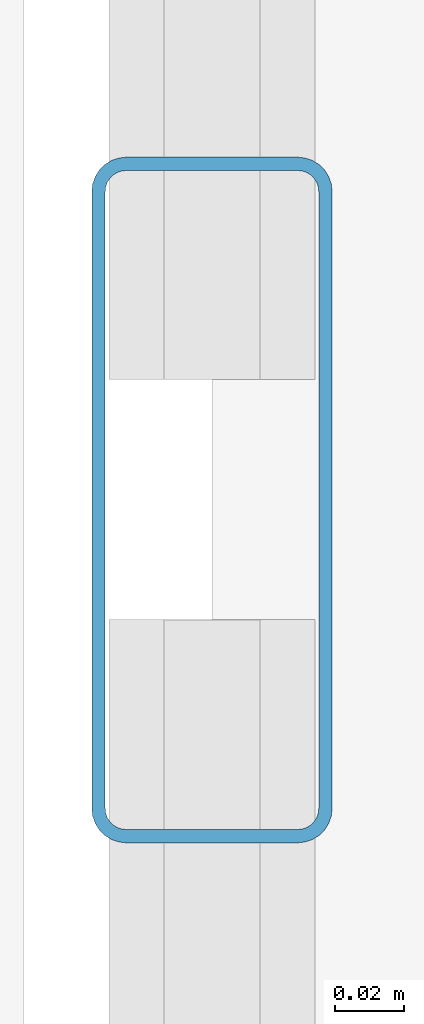
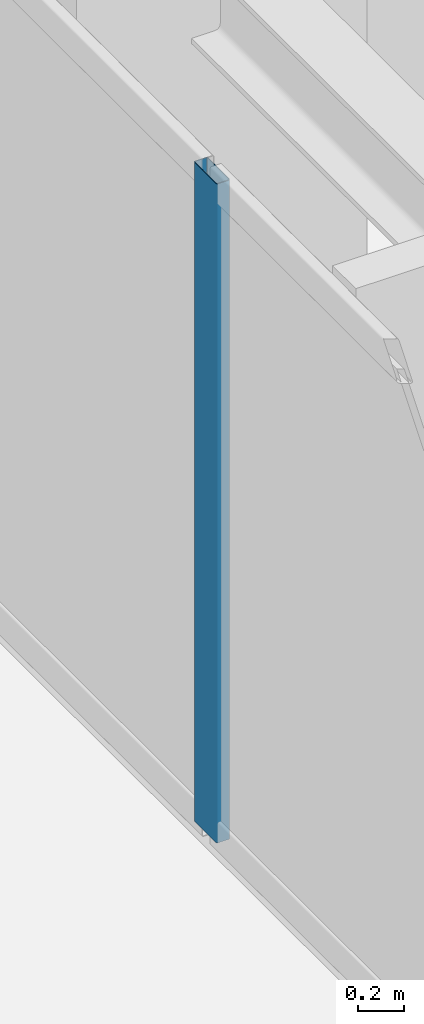
# One storey, part 8 of 39: 1 member, 1 element without a shape of its own.
"""IFC4 building model written with IfcOpenShell, lengths in metres."""

import ifcopenshell
import ifcopenshell.guid

model = None  # the IFC model being written
_history = None  # IfcOwnerHistory: only IFC2X3 demands one
_inside = {}  # id of a spatial element -> (the spatial element, [elements in it])
_under = {}  # id of a project, library or spatial element -> (it, [spatial elements below it])
_declared = {}  # id of a project -> (the project, [libraries it declares])
_typed = {}  # id of a type object -> (the type object, [elements of that type])
_made_of = {}  # id of a material, layer set ... -> (it, [elements and type objects made of it])


def new_model(schema):
    """Start an empty IFC model of exactly this schema.

    Asked for "IFC4X3", IfcOpenShell would pick the latest addendum, in which some entities
    have other attributes; the version numbers below select the first issue.
    IFC2X3 requires an IfcOwnerHistory on every rooted entity: one is made here for all.
    """
    global model, _history
    if schema == "IFC4X3":
        model = ifcopenshell.file(schema_version=(4, 3, 0, 0))
    else:
        model = ifcopenshell.file(schema=schema)
    _inside.clear()
    _under.clear()
    _declared.clear()
    _typed.clear()
    _made_of.clear()
    _history = None
    if model.schema == "IFC2X3":
        org = make("IfcOrganization", Name="unknown")
        user = make(
            "IfcPersonAndOrganization",
            ThePerson=make("IfcPerson", FamilyName="unknown"),
            TheOrganization=org,
        )
        app = make(
            "IfcApplication",
            ApplicationDeveloper=org,
            Version="unknown",
            ApplicationFullName="unknown",
            ApplicationIdentifier="unknown",
        )
        _history = make(
            "IfcOwnerHistory",
            OwningUser=user,
            OwningApplication=app,
            ChangeAction="ADDED",
            CreationDate=0,
        )
    return model


def make(cls, **values):
    """One entity of the class cls with the attributes given. An attribute that is None is left unset."""
    return model.create_entity(
        cls, **{name: value for name, value in values.items() if value is not None}
    )


def rooted(cls, **values):
    """An entity with a GlobalId (a new one), such as an element, a storey or a relation."""
    return make(cls, GlobalId=ifcopenshell.guid.new(), OwnerHistory=_history, **values)


def si_unit(unit_type, name, prefix=None):
    """IfcSIUnit, for example si_unit("LENGTHUNIT", "METRE", prefix="MILLI")."""
    return make("IfcSIUnit", UnitType=unit_type, Prefix=prefix, Name=name)


def assignment(units):
    """IfcUnitAssignment: the units of a project."""
    return None if units is None else make("IfcUnitAssignment", Units=units)


def point(xyz):
    """IfcCartesianPoint."""
    return None if xyz is None else make("IfcCartesianPoint", Coordinates=xyz)


def direction(xyz):
    """IfcDirection."""
    return None if xyz is None else make("IfcDirection", DirectionRatios=xyz)


def frame(location, z_axis=None, x_axis=None):
    """IfcAxis2Placement3D, a coordinate frame: its origin and axes. An axis left out is left unset."""
    return make(
        "IfcAxis2Placement3D",
        Location=point(location),
        Axis=direction(z_axis),
        RefDirection=direction(x_axis),
    )


def frame_2d(location, x_axis=None):
    """IfcAxis2Placement2D, a coordinate frame in the plane: its origin and x axis."""
    return make(
        "IfcAxis2Placement2D", Location=point(location), RefDirection=direction(x_axis)
    )


def origin():
    """The frame at (0, 0, 0) with its axes left unset."""
    return frame((0.0, 0.0, 0.0))


def origin_2d():
    """The frame at (0, 0) in the plane with its x axis left unset."""
    return frame_2d((0.0, 0.0))


def place(relative_to, where):
    """IfcLocalPlacement: puts the frame where relative to a parent placement (None: the world)."""
    return make(
        "IfcLocalPlacement", PlacementRelTo=relative_to, RelativePlacement=where
    )


def context(
    kind, dimensions, precision=None, world=None, true_north=None, identifier=None
):
    """IfcGeometricRepresentationContext, for example the 3D "Model" context."""
    return make(
        "IfcGeometricRepresentationContext",
        ContextIdentifier=identifier,
        ContextType=kind,
        CoordinateSpaceDimension=dimensions,
        Precision=precision,
        WorldCoordinateSystem=world,
        TrueNorth=true_north,
    )


def subcontext(parent, identifier, kind, view, scale=None):
    """IfcGeometricRepresentationSubContext, for example "Body" below "Model"."""
    return make(
        "IfcGeometricRepresentationSubContext",
        ContextIdentifier=identifier,
        ContextType=kind,
        ParentContext=parent,
        TargetScale=scale,
        TargetView=view,
    )


def project(units=None, contexts=None):
    """IfcProject with its units and contexts."""
    return rooted(
        "IfcProject",
        Name="project",
        RepresentationContexts=contexts,
        UnitsInContext=assignment(units),
    )


def spatial(cls, under=None, at=None, **own):
    """A site, building, storey or space (cls), placed at a placement, below another one or the project."""
    s = rooted(cls, ObjectPlacement=at, **own)
    if under is not None:
        _under.setdefault(under.id(), (under, []))[1].append(s)
    return s


def profile(cls, at=None, kind="AREA", **sizes):
    """A parametric profile (cls). Its sizes go by their IFC names, for example OverallWidth=200.0."""
    return make(cls, ProfileType=kind, Position=at, **sizes)


def hollow_rectangle(**sizes):
    """IfcRectangleHollowProfileDef."""
    return profile("IfcRectangleHollowProfileDef", **sizes)


def extrude(swept, where, along, depth):
    """IfcExtrudedAreaSolid: the profile swept, set in the frame where, extruded along a direction by depth."""
    return make(
        "IfcExtrudedAreaSolid",
        SweptArea=swept,
        Position=where,
        ExtrudedDirection=direction(along),
        Depth=depth,
    )


def shape(context_of_items, identifier, shape_type, items):
    """IfcShapeRepresentation: the items that make up one representation, for example the "Body"."""
    return make(
        "IfcShapeRepresentation",
        ContextOfItems=context_of_items,
        RepresentationIdentifier=identifier,
        RepresentationType=shape_type,
        Items=items,
    )


def source(mapping_origin, context_of_items, identifier, shape_type, items):
    """IfcRepresentationMap: a shape defined once, which mapped items show again and again."""
    return make(
        "IfcRepresentationMap",
        MappingOrigin=mapping_origin,
        MappedRepresentation=shape(context_of_items, identifier, shape_type, items),
    )


def transform(
    local_origin,
    x_axis=None,
    y_axis=None,
    z_axis=None,
    scale=None,
    scale2=None,
    scale3=None,
    uniform=True,
):
    """IfcCartesianTransformationOperator3D, or its non-uniform kind. x_axis, y_axis, z_axis: its Axis1, 2, 3."""
    if uniform:
        return make(
            "IfcCartesianTransformationOperator3D",
            Axis1=direction(x_axis),
            Axis2=direction(y_axis),
            LocalOrigin=point(local_origin),
            Scale=scale,
            Axis3=direction(z_axis),
        )
    return make(
        "IfcCartesianTransformationOperator3DnonUniform",
        Axis1=direction(x_axis),
        Axis2=direction(y_axis),
        LocalOrigin=point(local_origin),
        Scale=scale,
        Axis3=direction(z_axis),
        Scale2=scale2,
        Scale3=scale3,
    )


def mapped(mapping_source, mapping_target):
    """IfcMappedItem: shows the shape of a source again, moved by a transform."""
    return make(
        "IfcMappedItem", MappingSource=mapping_source, MappingTarget=mapping_target
    )


def material(Name=None, Category=None):
    """IfcMaterial."""
    return make("IfcMaterial", Name=Name, Category=Category)


def layer(
    of_material, thickness, ventilated=None, Name=None, Category=None, Priority=None
):
    """IfcMaterialLayer: one layer of a wall or slab, of a material (None: an air gap)."""
    return make(
        "IfcMaterialLayer",
        Material=of_material,
        LayerThickness=thickness,
        IsVentilated=ventilated,
        Name=Name,
        Category=Category,
        Priority=Priority,
    )


def layer_set(layers, Name=None):
    """IfcMaterialLayerSet."""
    return make("IfcMaterialLayerSet", MaterialLayers=layers, LayerSetName=Name)


def material_profile(
    of_material, cross_section, Name=None, Category=None, Priority=None
):
    """IfcMaterialProfile: a cross section and its material."""
    return make(
        "IfcMaterialProfile",
        Name=Name,
        Material=of_material,
        Profile=cross_section,
        Priority=Priority,
        Category=Category,
    )


def profile_set(profiles, Name=None, composite=None):
    """IfcMaterialProfileSet."""
    return make(
        "IfcMaterialProfileSet",
        Name=Name,
        MaterialProfiles=profiles,
        CompositeProfile=composite,
    )


def made_of(thing, what):
    """Note that an element or type object is made of a material, layer set ...; save() writes the relation."""
    if what is not None:
        _made_of.setdefault(what.id(), (what, []))[1].append(thing)
    return thing


def type_object(cls, material=None, **own):
    """A type object (cls), such as IfcWallType, which elements share."""
    return made_of(rooted(cls, **own), material)


def element(
    cls,
    number,
    at=None,
    inside=None,
    cuts=None,
    type_object=None,
    material=None,
    context=None,
    identifier="Body",
    shape_type=None,
    held_by="IfcProductDefinitionShape",
    body=None,
    shapes=None,
    **own,
):
    """One element of the class cls, such as IfcWall. Its Tag is "e" and its number.

    at: its placement. inside: the storey or other place that contains it. cuts: it is an
    opening in that element (IfcRelVoidsElement). A single representation is given by context,
    identifier, shape_type and body (its items); several are given by shapes. held_by: the class
    of the entity that holds the representations. save() writes the other relations.
    """
    e = rooted(cls, Tag="e%d" % number, ObjectPlacement=at, **own)
    if body is not None:
        shapes = [shape(context, identifier, shape_type, body)]
    if shapes is not None:
        e.Representation = make(held_by, Representations=shapes)
    if inside is not None:
        _inside.setdefault(inside.id(), (inside, []))[1].append(e)
    if cuts is not None:
        rooted(
            "IfcRelVoidsElement", RelatingBuildingElement=cuts, RelatedOpeningElement=e
        )
    if type_object is not None:
        _typed.setdefault(type_object.id(), (type_object, []))[1].append(e)
    return made_of(e, material)


def aggregate(whole, parts):
    """IfcRelAggregates: a whole, such as a stair, and the parts it consists of."""
    return rooted("IfcRelAggregates", RelatingObject=whole, RelatedObjects=parts)


def save(model, path):
    """Write the relations noted so far, then the file.

    IfcRelAggregates (storeys below a building ...), IfcRelContainedInSpatialStructure (elements
    in a storey), IfcRelDefinesByType, IfcRelAssociatesMaterial and IfcRelDeclares: one each for
    every whole, place, type object, material and project.
    """
    for whole, parts in _under.values():
        aggregate(whole, parts)
    for where, things in _inside.values():
        rooted(
            "IfcRelContainedInSpatialStructure",
            RelatedElements=things,
            RelatingStructure=where,
        )
    for kind, things in _typed.values():
        rooted("IfcRelDefinesByType", RelatedObjects=things, RelatingType=kind)
    for what, things in _made_of.values():
        rooted("IfcRelAssociatesMaterial", RelatedObjects=things, RelatingMaterial=what)
    for by, libraries in _declared.values():
        rooted("IfcRelDeclares", RelatingContext=by, RelatedDefinitions=libraries)
    model.write(path)


model = new_model("IFC4")

# Units and contexts
model_context = context("Model", 3, precision=1e-05, world=origin(), true_north=direction((0.0, 1.0)))
body_context = subcontext(model_context, "Body", "Model", "MODEL_VIEW")
ifc_project = project(units=[si_unit("LENGTHUNIT", "METRE"), si_unit("AREAUNIT", "SQUARE_METRE"), si_unit("VOLUMEUNIT", "CUBIC_METRE"), si_unit("PLANEANGLEUNIT", "RADIAN"), si_unit("MASSUNIT", "GRAM", prefix="KILO")], contexts=[model_context])

# Site, building, storey
site_placement = place(None, origin())
site = spatial("IfcSite", under=ifc_project, at=site_placement, CompositionType="ELEMENT")
building_placement = place(site_placement, origin())
building = spatial("IfcBuilding", under=site, at=building_placement, Name="Serunith Strait Residences", CompositionType="ELEMENT")
storey_placement = place(building_placement, frame((0.0, 0.0, 60.449951171875)))
storey = spatial("IfcBuildingStorey", under=building, at=storey_placement, Name="L14", CompositionType="ELEMENT", Elevation=60.449951171875)

# Curtain wall, member
ifc_material = material(Name="Pale-Champagne Anodised Aluminium", Category="aluminium")
ifc_layer = layer(ifc_material, 0.199951171875, Name="Pale-Champagne Anodised Aluminium")
ifc_layer_set = layer_set([ifc_layer], Name="Pale-Champagne Anodised Aluminium")
curtain_wall_type = type_object("IfcCurtainWallType", Name="CW-SYS1", PredefinedType="NOTDEFINED", material=ifc_layer_set)
curtain_wall_placement = place(storey_placement, origin())
curtain_wall = element("IfcCurtainWall", 1, at=curtain_wall_placement, inside=storey, type_object=curtain_wall_type, Name="L14 W Unitised Fritted Curtain Wall", PredefinedType="NOTDEFINED")
ifc_material_profile = material_profile(ifc_material, hollow_rectangle(XDim=0.070068359375, YDim=0.199951171875, WallThickness=0.00390625, InnerFilletRadius=0.006103515625, OuterFilletRadius=0.010009765625, at=origin_2d()), Name="ALU 200x70x4")
ifc_profile_set = profile_set([ifc_material_profile], Name="Pale-Champagne Anodised Aluminium")
member_type = type_object("IfcMemberType", Name="CW-SYS1-MULL", PredefinedType="MULLION", material=ifc_profile_set)
shared_shape = source(origin(), body_context, "Body", "SweptSolid", [
    extrude(hollow_rectangle(XDim=0.070068359375, YDim=0.199951171875, WallThickness=0.00390625, InnerFilletRadius=0.006103515625, OuterFilletRadius=0.010009765625, at=origin_2d()), origin(), (0.0, 0.0, 1.0), 3.47509765625),
])
member_placement = place(storey_placement, frame((6.0, 27.199951171875, 0.0), z_axis=(0.0, 0.0, 1.0), x_axis=(1.0, 0.0, 0.0)))
member = element("IfcMember", 2, at=member_placement, type_object=member_type, Name="CW-1 mullion 3", PredefinedType="MULLION", context=body_context, shape_type="MappedRepresentation", body=[
    mapped(shared_shape, transform((0.0, 0.0, 0.0), scale=1.0)),
])
aggregate(curtain_wall, [member])

save(model, "model.ifc")
